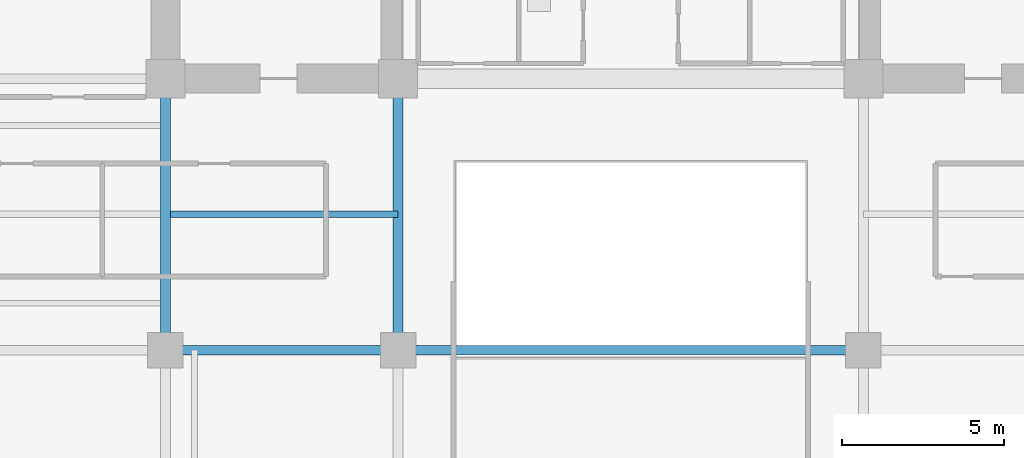
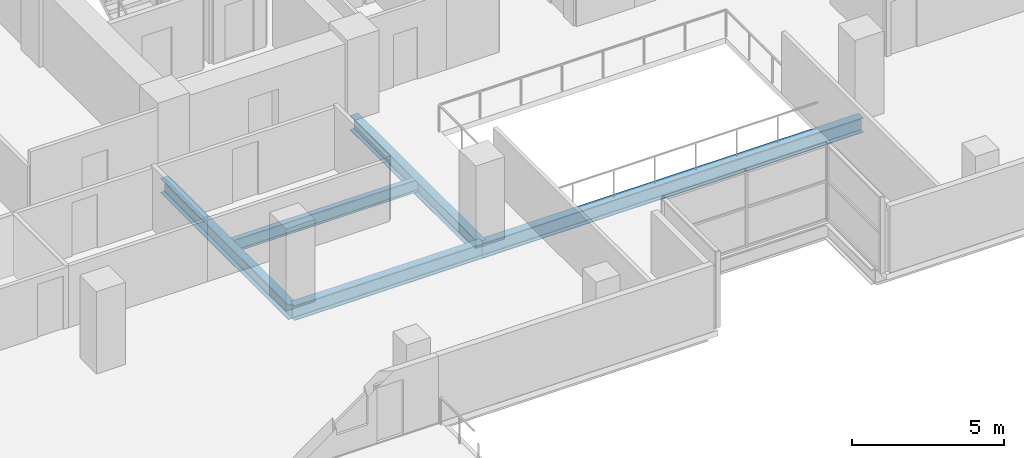
# One storey, part 4 of 31: 5 beams.
"""IFC4 building model written with IfcOpenShell, lengths in metres."""

from ifc_helpers import new_model, si_unit, direction, frame, origin, origin_2d, place, context, subcontext, project, spatial, i_section, extrude, material, material_profile, profile_set, type_object, element, save


model = new_model("IFC4")

# Units and contexts
model_context = context("Model", 3, precision=1e-05, world=origin(), true_north=direction((0.0, 1.0)))
body_context = subcontext(model_context, "Body", "Model", "MODEL_VIEW")
ifc_project = project(units=[si_unit("LENGTHUNIT", "METRE"), si_unit("AREAUNIT", "SQUARE_METRE"), si_unit("VOLUMEUNIT", "CUBIC_METRE"), si_unit("PLANEANGLEUNIT", "RADIAN"), si_unit("MASSUNIT", "GRAM", prefix="KILO")], contexts=[model_context])

# Site, building, storey
site_placement = place(None, origin())
site = spatial("IfcSite", under=ifc_project, at=site_placement, CompositionType="ELEMENT")
building_placement = place(site_placement, origin())
building = spatial("IfcBuilding", under=site, at=building_placement, Name="Zarnakvel Exchange Tower", CompositionType="ELEMENT")
storey_placement = place(building_placement, frame((0.0, 0.0, 67.0)))
storey = spatial("IfcBuildingStorey", under=building, at=storey_placement, Name="L18", CompositionType="ELEMENT", Elevation=67.0)

# Beams
ifc_material = material(Name="Steel S355", Category="steel")
ifc_material_profile_1 = material_profile(ifc_material, i_section(OverallWidth=0.199951171875, OverallDepth=0.5, WebThickness=0.01025390625, FlangeThickness=0.01611328125, FilletRadius=0.02099609375, at=origin_2d()))
ifc_profile_set_1 = profile_set([ifc_material_profile_1], Name="Steel S355")
beam_type_1 = type_object("IfcBeamType", Name="B-04", PredefinedType="JOIST", material=ifc_profile_set_1)
beam_1_placement = place(storey_placement, frame((-14.25, -5.39990234375, -0.47509765625), z_axis=(1.0, 0.0, 0.0), x_axis=(0.0, 1.0, 0.0)))
element("IfcBeam", 1, at=beam_1_placement, inside=storey, type_object=beam_type_1, Name="L18 Composite Floor Secondary Joist", PredefinedType="JOIST", context=body_context, shape_type="SweptSolid", body=[
    extrude(i_section(OverallWidth=0.199951171875, OverallDepth=0.5, WebThickness=0.01025390625, FlangeThickness=0.01611328125, FilletRadius=0.02099609375, at=origin_2d()), origin(), (0.0, 0.0, 1.0), 7.050048828125),
])
ifc_material_profile_2 = material_profile(ifc_material, i_section(OverallWidth=0.300048828125, OverallDepth=0.60009765625, WebThickness=0.015380859375, FlangeThickness=0.030029296875, FilletRadius=0.027099609375, at=origin_2d()))
ifc_profile_set_2 = profile_set([ifc_material_profile_2], Name="Steel S355")
beam_type_2 = type_object("IfcBeamType", Name="G-04", PredefinedType="BEAM", material=ifc_profile_set_2)
beam_2_placement = place(storey_placement, frame((-14.39990234375, -9.60009765625, -0.52490234375), z_axis=(1.0, 0.0, 0.0), x_axis=(0.0, 1.0, 0.0)))
element("IfcBeam", 2, at=beam_2_placement, inside=storey, type_object=beam_type_2, Name="L18 Tower E-W Frame Beam", PredefinedType="BEAM", context=body_context, shape_type="SweptSolid", body=[
    extrude(i_section(OverallWidth=0.300048828125, OverallDepth=0.60009765625, WebThickness=0.015380859375, FlangeThickness=0.030029296875, FilletRadius=0.027099609375, at=origin_2d()), origin(), (0.0, 0.0, 1.0), 7.199951171875),
])
beam_3_placement = place(storey_placement, frame((-7.199951171875, -9.60009765625, -0.52490234375), z_axis=(1.0, 0.0, 0.0), x_axis=(0.0, 1.0, 0.0)))
element("IfcBeam", 3, at=beam_3_placement, inside=storey, type_object=beam_type_2, Name="L18 Tower E-W Frame Beam", PredefinedType="BEAM", context=body_context, shape_type="SweptSolid", body=[
    extrude(i_section(OverallWidth=0.300048828125, OverallDepth=0.60009765625, WebThickness=0.015380859375, FlangeThickness=0.030029296875, FilletRadius=0.027099609375, at=origin_2d()), origin(), (0.0, 0.0, 1.0), 14.39990234375),
])
for number, where, z_axis, x_axis, name in (
    (4, (-14.39990234375, -9.60009765625, -0.52490234375), (0.0, 1.0, 0.0), (-1.0, 0.0, 0.0), "L18 Tower N-S Frame Beam"),
    (5, (-7.199951171875, -9.60009765625, -0.52490234375), (0.0, 1.0, 0.0), (-1.0, 0.0, 0.0), "L18 Tower N-S Frame Beam"),
):
    element("IfcBeam", number, at=place(storey_placement, frame(where, z_axis=z_axis, x_axis=x_axis)), inside=storey, type_object=beam_type_2, Name=name, PredefinedType="BEAM", context=body_context, shape_type="SweptSolid", body=[
        extrude(i_section(OverallWidth=0.300048828125, OverallDepth=0.60009765625, WebThickness=0.015380859375, FlangeThickness=0.030029296875, FilletRadius=0.027099609375, at=origin_2d()), origin(), (0.0, 0.0, 1.0), 8.400146484375),
    ])

save(model, "model.ifc")
